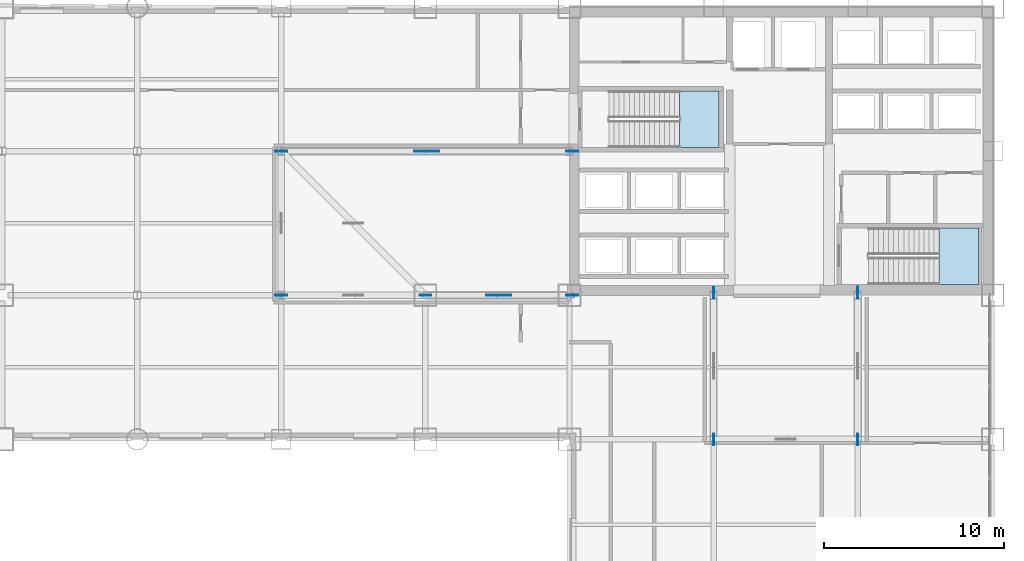
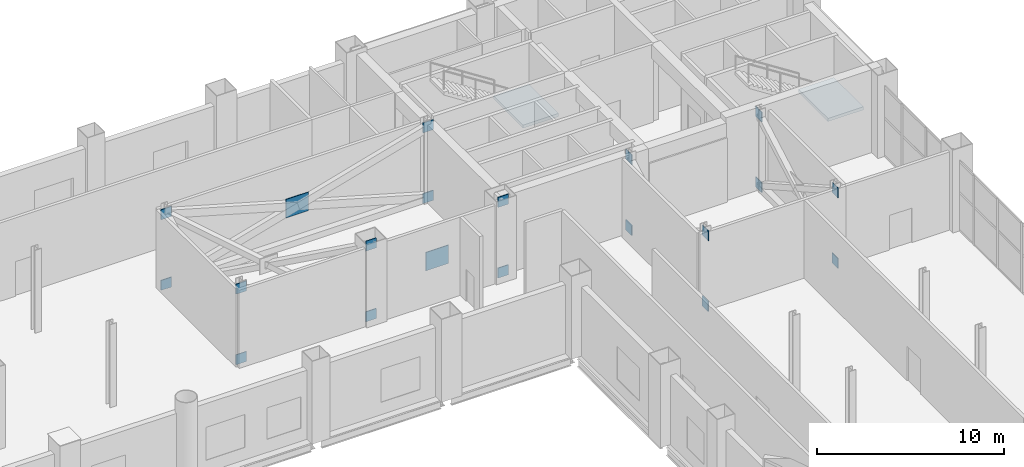
# One storey, part 21 of 26: 20 plates, 2 slabs, 2 elements without a shape of their own.
"""IFC4 building model written with IfcOpenShell, lengths in metres."""

import ifcopenshell
import ifcopenshell.guid

model = None  # the IFC model being written
_history = None  # IfcOwnerHistory: only IFC2X3 demands one
_inside = {}  # id of a spatial element -> (the spatial element, [elements in it])
_under = {}  # id of a project, library or spatial element -> (it, [spatial elements below it])
_declared = {}  # id of a project -> (the project, [libraries it declares])
_typed = {}  # id of a type object -> (the type object, [elements of that type])
_made_of = {}  # id of a material, layer set ... -> (it, [elements and type objects made of it])


def new_model(schema):
    """Start an empty IFC model of exactly this schema.

    Asked for "IFC4X3", IfcOpenShell would pick the latest addendum, in which some entities
    have other attributes; the version numbers below select the first issue.
    IFC2X3 requires an IfcOwnerHistory on every rooted entity: one is made here for all.
    """
    global model, _history
    if schema == "IFC4X3":
        model = ifcopenshell.file(schema_version=(4, 3, 0, 0))
    else:
        model = ifcopenshell.file(schema=schema)
    _inside.clear()
    _under.clear()
    _declared.clear()
    _typed.clear()
    _made_of.clear()
    _history = None
    if model.schema == "IFC2X3":
        org = make("IfcOrganization", Name="unknown")
        user = make(
            "IfcPersonAndOrganization",
            ThePerson=make("IfcPerson", FamilyName="unknown"),
            TheOrganization=org,
        )
        app = make(
            "IfcApplication",
            ApplicationDeveloper=org,
            Version="unknown",
            ApplicationFullName="unknown",
            ApplicationIdentifier="unknown",
        )
        _history = make(
            "IfcOwnerHistory",
            OwningUser=user,
            OwningApplication=app,
            ChangeAction="ADDED",
            CreationDate=0,
        )
    return model


def make(cls, **values):
    """One entity of the class cls with the attributes given. An attribute that is None is left unset."""
    return model.create_entity(
        cls, **{name: value for name, value in values.items() if value is not None}
    )


def rooted(cls, **values):
    """An entity with a GlobalId (a new one), such as an element, a storey or a relation."""
    return make(cls, GlobalId=ifcopenshell.guid.new(), OwnerHistory=_history, **values)


def si_unit(unit_type, name, prefix=None):
    """IfcSIUnit, for example si_unit("LENGTHUNIT", "METRE", prefix="MILLI")."""
    return make("IfcSIUnit", UnitType=unit_type, Prefix=prefix, Name=name)


def assignment(units):
    """IfcUnitAssignment: the units of a project."""
    return None if units is None else make("IfcUnitAssignment", Units=units)


def point(xyz):
    """IfcCartesianPoint."""
    return None if xyz is None else make("IfcCartesianPoint", Coordinates=xyz)


def direction(xyz):
    """IfcDirection."""
    return None if xyz is None else make("IfcDirection", DirectionRatios=xyz)


def frame(location, z_axis=None, x_axis=None):
    """IfcAxis2Placement3D, a coordinate frame: its origin and axes. An axis left out is left unset."""
    return make(
        "IfcAxis2Placement3D",
        Location=point(location),
        Axis=direction(z_axis),
        RefDirection=direction(x_axis),
    )


def frame_2d(location, x_axis=None):
    """IfcAxis2Placement2D, a coordinate frame in the plane: its origin and x axis."""
    return make(
        "IfcAxis2Placement2D", Location=point(location), RefDirection=direction(x_axis)
    )


def origin():
    """The frame at (0, 0, 0) with its axes left unset."""
    return frame((0.0, 0.0, 0.0))


def origin_2d():
    """The frame at (0, 0) in the plane with its x axis left unset."""
    return frame_2d((0.0, 0.0))


def place(relative_to, where):
    """IfcLocalPlacement: puts the frame where relative to a parent placement (None: the world)."""
    return make(
        "IfcLocalPlacement", PlacementRelTo=relative_to, RelativePlacement=where
    )


def context(
    kind, dimensions, precision=None, world=None, true_north=None, identifier=None
):
    """IfcGeometricRepresentationContext, for example the 3D "Model" context."""
    return make(
        "IfcGeometricRepresentationContext",
        ContextIdentifier=identifier,
        ContextType=kind,
        CoordinateSpaceDimension=dimensions,
        Precision=precision,
        WorldCoordinateSystem=world,
        TrueNorth=true_north,
    )


def subcontext(parent, identifier, kind, view, scale=None):
    """IfcGeometricRepresentationSubContext, for example "Body" below "Model"."""
    return make(
        "IfcGeometricRepresentationSubContext",
        ContextIdentifier=identifier,
        ContextType=kind,
        ParentContext=parent,
        TargetScale=scale,
        TargetView=view,
    )


def project(units=None, contexts=None):
    """IfcProject with its units and contexts."""
    return rooted(
        "IfcProject",
        Name="project",
        RepresentationContexts=contexts,
        UnitsInContext=assignment(units),
    )


def spatial(cls, under=None, at=None, **own):
    """A site, building, storey or space (cls), placed at a placement, below another one or the project."""
    s = rooted(cls, ObjectPlacement=at, **own)
    if under is not None:
        _under.setdefault(under.id(), (under, []))[1].append(s)
    return s


def polyline(points):
    """IfcPolyline through the points."""
    return make("IfcPolyline", Points=[point(p) for p in points])


def profile(cls, at=None, kind="AREA", **sizes):
    """A parametric profile (cls). Its sizes go by their IFC names, for example OverallWidth=200.0."""
    return make(cls, ProfileType=kind, Position=at, **sizes)


def rectangle(**sizes):
    """IfcRectangleProfileDef."""
    return profile("IfcRectangleProfileDef", **sizes)


def outline(outer, holes=None, kind="AREA"):
    """IfcArbitraryClosedProfileDef: a profile drawn as a closed curve; with holes, ...WithVoids."""
    if holes is None:
        return make("IfcArbitraryClosedProfileDef", ProfileType=kind, OuterCurve=outer)
    return make(
        "IfcArbitraryProfileDefWithVoids",
        ProfileType=kind,
        OuterCurve=outer,
        InnerCurves=holes,
    )


def extrude(swept, where, along, depth):
    """IfcExtrudedAreaSolid: the profile swept, set in the frame where, extruded along a direction by depth."""
    return make(
        "IfcExtrudedAreaSolid",
        SweptArea=swept,
        Position=where,
        ExtrudedDirection=direction(along),
        Depth=depth,
    )


def shape(context_of_items, identifier, shape_type, items):
    """IfcShapeRepresentation: the items that make up one representation, for example the "Body"."""
    return make(
        "IfcShapeRepresentation",
        ContextOfItems=context_of_items,
        RepresentationIdentifier=identifier,
        RepresentationType=shape_type,
        Items=items,
    )


def material(Name=None, Category=None):
    """IfcMaterial."""
    return make("IfcMaterial", Name=Name, Category=Category)


def layer(
    of_material, thickness, ventilated=None, Name=None, Category=None, Priority=None
):
    """IfcMaterialLayer: one layer of a wall or slab, of a material (None: an air gap)."""
    return make(
        "IfcMaterialLayer",
        Material=of_material,
        LayerThickness=thickness,
        IsVentilated=ventilated,
        Name=Name,
        Category=Category,
        Priority=Priority,
    )


def layer_set(layers, Name=None):
    """IfcMaterialLayerSet."""
    return make("IfcMaterialLayerSet", MaterialLayers=layers, LayerSetName=Name)


def made_of(thing, what):
    """Note that an element or type object is made of a material, layer set ...; save() writes the relation."""
    if what is not None:
        _made_of.setdefault(what.id(), (what, []))[1].append(thing)
    return thing


def type_object(cls, material=None, **own):
    """A type object (cls), such as IfcWallType, which elements share."""
    return made_of(rooted(cls, **own), material)


def element(
    cls,
    number,
    at=None,
    inside=None,
    cuts=None,
    type_object=None,
    material=None,
    context=None,
    identifier="Body",
    shape_type=None,
    held_by="IfcProductDefinitionShape",
    body=None,
    shapes=None,
    **own,
):
    """One element of the class cls, such as IfcWall. Its Tag is "e" and its number.

    at: its placement. inside: the storey or other place that contains it. cuts: it is an
    opening in that element (IfcRelVoidsElement). A single representation is given by context,
    identifier, shape_type and body (its items); several are given by shapes. held_by: the class
    of the entity that holds the representations. save() writes the other relations.
    """
    e = rooted(cls, Tag="e%d" % number, ObjectPlacement=at, **own)
    if body is not None:
        shapes = [shape(context, identifier, shape_type, body)]
    if shapes is not None:
        e.Representation = make(held_by, Representations=shapes)
    if inside is not None:
        _inside.setdefault(inside.id(), (inside, []))[1].append(e)
    if cuts is not None:
        rooted(
            "IfcRelVoidsElement", RelatingBuildingElement=cuts, RelatedOpeningElement=e
        )
    if type_object is not None:
        _typed.setdefault(type_object.id(), (type_object, []))[1].append(e)
    return made_of(e, material)


def aggregate(whole, parts):
    """IfcRelAggregates: a whole, such as a stair, and the parts it consists of."""
    return rooted("IfcRelAggregates", RelatingObject=whole, RelatedObjects=parts)


def save(model, path):
    """Write the relations noted so far, then the file.

    IfcRelAggregates (storeys below a building ...), IfcRelContainedInSpatialStructure (elements
    in a storey), IfcRelDefinesByType, IfcRelAssociatesMaterial and IfcRelDeclares: one each for
    every whole, place, type object, material and project.
    """
    for whole, parts in _under.values():
        aggregate(whole, parts)
    for where, things in _inside.values():
        rooted(
            "IfcRelContainedInSpatialStructure",
            RelatedElements=things,
            RelatingStructure=where,
        )
    for kind, things in _typed.values():
        rooted("IfcRelDefinesByType", RelatedObjects=things, RelatingType=kind)
    for what, things in _made_of.values():
        rooted("IfcRelAssociatesMaterial", RelatedObjects=things, RelatingMaterial=what)
    for by, libraries in _declared.values():
        rooted("IfcRelDeclares", RelatingContext=by, RelatedDefinitions=libraries)
    model.write(path)


model = new_model("IFC4")

# Units and contexts
model_context = context("Model", 3, precision=1e-05, world=origin(), true_north=direction((0.0, 1.0)))
body_context = subcontext(model_context, "Body", "Model", "MODEL_VIEW")
ifc_project = project(units=[si_unit("LENGTHUNIT", "METRE"), si_unit("AREAUNIT", "SQUARE_METRE"), si_unit("VOLUMEUNIT", "CUBIC_METRE"), si_unit("PLANEANGLEUNIT", "RADIAN"), si_unit("MASSUNIT", "GRAM", prefix="KILO")], contexts=[model_context])

# Site, building, storey
site_placement = place(None, origin())
site = spatial("IfcSite", under=ifc_project, at=site_placement, CompositionType="ELEMENT")
building_placement = place(site_placement, origin())
building = spatial("IfcBuilding", under=site, at=building_placement, Name="Qianrong Seaharbour Tower", CompositionType="ELEMENT")
storey_placement = place(building_placement, frame((0.0, 0.0, 108.199951171875)))
storey = spatial("IfcBuildingStorey", under=building, at=storey_placement, Name="L26", CompositionType="ELEMENT", Elevation=108.199951171875)

# Plates
ifc_material_1 = material(Name="Structural steel SN490B", Category="steel")
ifc_layer_1 = layer(ifc_material_1, 0.050048828125)
ifc_layer_set_1 = layer_set([ifc_layer_1], Name="Structural steel SN490B")
plate_type = type_object("IfcPlateType", Name="PLT-OUTRIGGER-GUSSET-50", PredefinedType="USERDEFINED", material=ifc_layer_set_1)
plate_1_placement = place(storey_placement, frame((36.574951171875, 36.0, 1.9501953125), z_axis=(0.0, 0.0, 1.0), x_axis=(1.0, 0.0, 0.0)))
element("IfcPlate", 1, at=plate_1_placement, inside=storey, type_object=plate_type, Name="L26 Outrigger X-Crossing Gusset Node Plate GF", ObjectType="GUSSET PLATE", PredefinedType="USERDEFINED", context=body_context, shape_type="SweptSolid", body=[
    extrude(rectangle(XDim=1.39990234375, YDim=0.050048828125, at=origin_2d()), origin(), (0.0, 0.0, 1.0), 1.199951171875),
])
for number, where, z_axis, x_axis, name in (
    (2, (40.64990234375, 36.0, -0.074951171875), (0.0, 0.0, 1.0), (1.0, 0.0, 0.0), "L26 Brace End Gusset Node Plate GF-CB"),
    (3, (40.64990234375, 36.0, 4.525146484375), (0.0, 0.0, 1.0), (1.0, 0.0, 0.0), "L26 Brace End Gusset Node Plate GF-CT"),
    (4, (32.5, 36.0, -0.074951171875), (0.0, 0.0, 1.0), (1.0, 0.0, 0.0), "L26 Brace End Gusset Node Plate GF-OB"),
    (5, (32.5, 36.0, 4.525146484375), (0.0, 0.0, 1.0), (1.0, 0.0, 0.0), "L26 Brace End Gusset Node Plate GF-OT"),
):
    element("IfcPlate", number, at=place(storey_placement, frame(where, z_axis=z_axis, x_axis=x_axis)), inside=storey, type_object=plate_type, Name=name, ObjectType="GUSSET PLATE", PredefinedType="USERDEFINED", context=body_context, shape_type="SweptSolid", body=[
        extrude(rectangle(XDim=0.64990234375, YDim=0.050048828125, at=origin_2d()), origin(), (0.0, 0.0, 1.0), 0.64990234375),
    ])
plate_2_placement = place(storey_placement, frame((32.574951171875, 44.0, 1.9501953125), z_axis=(0.0, 0.0, 1.0), x_axis=(1.0, 0.0, 0.0)))
element("IfcPlate", 6, at=plate_2_placement, inside=storey, type_object=plate_type, Name="L26 Outrigger X-Crossing Gusset Node Plate GG", ObjectType="GUSSET PLATE", PredefinedType="USERDEFINED", context=body_context, shape_type="SweptSolid", body=[
    extrude(rectangle(XDim=1.39990234375, YDim=0.050048828125, at=origin_2d()), origin(), (0.0, 0.0, 1.0), 1.199951171875),
])
for number, where, z_axis, x_axis, name in (
    (7, (40.64990234375, 44.0, -0.074951171875), (0.0, 0.0, 1.0), (1.0, 0.0, 0.0), "L26 Brace End Gusset Node Plate GG-CB"),
    (8, (40.64990234375, 44.0, 4.525146484375), (0.0, 0.0, 1.0), (1.0, 0.0, 0.0), "L26 Brace End Gusset Node Plate GG-CT"),
    (9, (24.5, 44.0, -0.074951171875), (0.0, 0.0, 1.0), (1.0, 0.0, 0.0), "L26 Brace End Gusset Node Plate GG-OB"),
    (10, (24.5, 44.0, 4.525146484375), (0.0, 0.0, 1.0), (1.0, 0.0, 0.0), "L26 Brace End Gusset Node Plate GG-OT"),
):
    element("IfcPlate", number, at=place(storey_placement, frame(where, z_axis=z_axis, x_axis=x_axis)), inside=storey, type_object=plate_type, Name=name, ObjectType="GUSSET PLATE", PredefinedType="USERDEFINED", context=body_context, shape_type="SweptSolid", body=[
        extrude(rectangle(XDim=0.64990234375, YDim=0.050048828125, at=origin_2d()), origin(), (0.0, 0.0, 1.0), 0.64990234375),
    ])
for number, where, z_axis, x_axis, name in (
    (11, (48.5, 36.14990234375, -0.074951171875), (0.0, 0.0, 1.0), (1.0, 0.0, 0.0), "L26 Brace End Gusset Node Plate G7-CB"),
    (12, (48.5, 36.14990234375, 4.525146484375), (0.0, 0.0, 1.0), (1.0, 0.0, 0.0), "L26 Brace End Gusset Node Plate G7-CT"),
    (13, (48.5, 28.0, -0.074951171875), (0.0, 0.0, 1.0), (1.0, 0.0, 0.0), "L26 Brace End Gusset Node Plate G7-OB"),
    (14, (48.5, 28.0, 4.525146484375), (0.0, 0.0, 1.0), (1.0, 0.0, 0.0), "L26 Brace End Gusset Node Plate G7-OT"),
    (15, (56.5, 36.14990234375, -0.074951171875), (0.0, 0.0, 1.0), (1.0, 0.0, 0.0), "L26 Brace End Gusset Node Plate G8-CB"),
    (16, (56.5, 36.14990234375, 4.525146484375), (0.0, 0.0, 1.0), (1.0, 0.0, 0.0), "L26 Brace End Gusset Node Plate G8-CT"),
    (17, (56.5, 28.0, -0.074951171875), (0.0, 0.0, 1.0), (1.0, 0.0, 0.0), "L26 Brace End Gusset Node Plate G8-OB"),
    (18, (56.5, 28.0, 4.525146484375), (0.0, 0.0, 1.0), (1.0, 0.0, 0.0), "L26 Brace End Gusset Node Plate G8-OT"),
):
    element("IfcPlate", number, at=place(storey_placement, frame(where, z_axis=z_axis, x_axis=x_axis)), inside=storey, type_object=plate_type, Name=name, ObjectType="GUSSET PLATE", PredefinedType="USERDEFINED", context=body_context, shape_type="SweptSolid", body=[
        extrude(rectangle(XDim=0.050048828125, YDim=0.64990234375, at=origin_2d()), origin(), (0.0, 0.0, 1.0), 0.64990234375),
    ])
for number, where, z_axis, x_axis, name in (
    (19, (24.5, 36.0, -0.074951171875), (0.0, 0.0, 1.0), (1.0, 0.0, 0.0), "L26 Brace End Gusset Node Plate B1-A0"),
    (20, (24.5, 36.0, 4.525146484375), (0.0, 0.0, 1.0), (1.0, 0.0, 0.0), "L26 Brace End Gusset Node Plate B1-A1"),
):
    element("IfcPlate", number, at=place(storey_placement, frame(where, z_axis=z_axis, x_axis=x_axis)), inside=storey, type_object=plate_type, Name=name, ObjectType="GUSSET PLATE", PredefinedType="USERDEFINED", context=body_context, shape_type="SweptSolid", body=[
        extrude(rectangle(XDim=0.64990234375, YDim=0.050048828125, at=origin_2d()), origin(), (0.0, 0.0, 1.0), 0.64990234375),
    ])

# Stair, slab
ifc_material_2 = material(Name="Concrete C50/60", Category="concrete")
stair_type = type_object("IfcStairType", Name="STAIR-DOGLEG-1500-R30", PredefinedType="HALF_TURN_STAIR", material=ifc_material_2)
stair_1_placement = place(storey_placement, origin())
stair_1 = element("IfcStair", 21, at=stair_1_placement, inside=storey, type_object=stair_type, Name="L26 Protected Escape Stair ST-1", PredefinedType="HALF_TURN_STAIR")
ifc_layer_2 = layer(ifc_material_2, 0.199951171875)
ifc_layer_set_2 = layer_set([ifc_layer_2], Name="Concrete C50/60")
slab_type = type_object("IfcSlabType", Name="SLAB-STAIR-LANDING-200", PredefinedType="LANDING", material=ifc_layer_set_2)
slab_1_placement = place(storey_placement, frame((0.0, 0.0, 2.5)))
slab_1 = element("IfcSlab", 22, at=slab_1_placement, type_object=slab_type, Name="ST-1 landing 1", PredefinedType="LANDING", context=body_context, shape_type="SweptSolid", body=[
    extrude(outline(polyline([(46.6201171875, 44.199951171875), (48.800048828125, 44.199951171875), (48.800048828125, 47.35009765625), (46.6201171875, 47.35009765625), (46.6201171875, 44.199951171875)])), origin(), (0.0, 0.0, 1.0), 0.199951171875),
])
aggregate(stair_1, [slab_1])

stair_2_placement = place(storey_placement, origin())
stair_2 = element("IfcStair", 23, at=stair_2_placement, inside=storey, type_object=stair_type, Name="L26 Protected Escape Stair ST-2", PredefinedType="HALF_TURN_STAIR")
slab_2_placement = place(storey_placement, frame((0.0, 0.0, 2.5)))
slab_2 = element("IfcSlab", 24, at=slab_2_placement, type_object=slab_type, Name="ST-2 landing 1", PredefinedType="LANDING", context=body_context, shape_type="SweptSolid", body=[
    extrude(outline(polyline([(61.02001953125, 36.60009765625), (63.199951171875, 36.60009765625), (63.199951171875, 39.75), (61.02001953125, 39.75), (61.02001953125, 36.60009765625)])), origin(), (0.0, 0.0, 1.0), 0.199951171875),
])
aggregate(stair_2, [slab_2])

save(model, "model.ifc")
